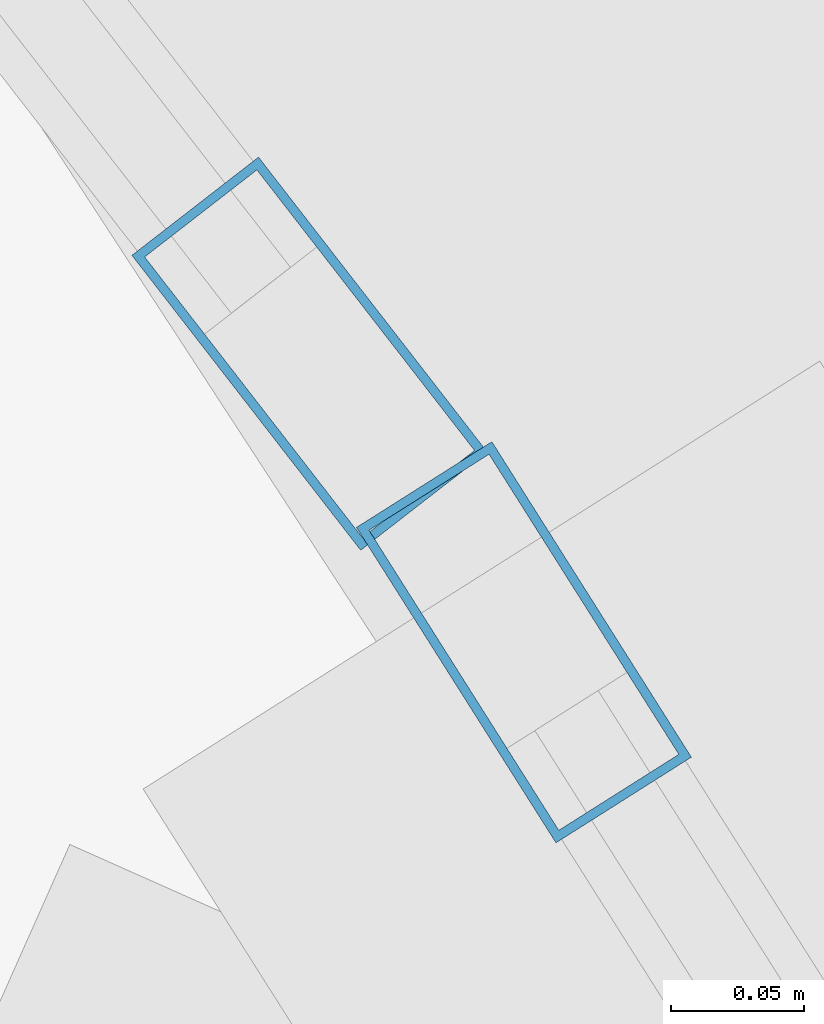
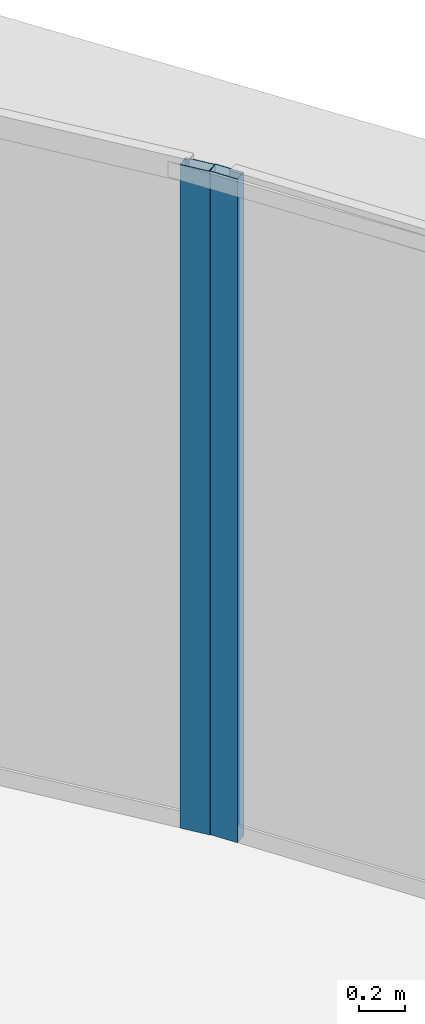
# One storey, part 24 of 33: 2 members, 2 elements without a shape of their own.
"""IFC4 building model written with IfcOpenShell, lengths in metres."""

from ifc_helpers import new_model, si_unit, direction, frame, origin, origin_2d, place, context, subcontext, project, spatial, hollow_rectangle, extrude, source, transform, mapped, material, layer, layer_set, material_profile, profile_set, type_object, element, aggregate, save


model = new_model("IFC4")

# Units and contexts
model_context = context("Model", 3, precision=1e-05, world=origin(), true_north=direction((0.0, 1.0)))
body_context = subcontext(model_context, "Body", "Model", "MODEL_VIEW")
ifc_project = project(units=[si_unit("LENGTHUNIT", "METRE"), si_unit("AREAUNIT", "SQUARE_METRE"), si_unit("VOLUMEUNIT", "CUBIC_METRE"), si_unit("PLANEANGLEUNIT", "RADIAN"), si_unit("MASSUNIT", "GRAM", prefix="KILO"), si_unit("THERMODYNAMICTEMPERATUREUNIT", "KELVIN"), si_unit("POWERUNIT", "WATT")], contexts=[model_context])

# Site, building, storey
site_placement = place(None, origin())
site = spatial("IfcSite", under=ifc_project, at=site_placement, CompositionType="ELEMENT")
building_placement = place(site_placement, origin())
building = spatial("IfcBuilding", under=site, at=building_placement, Name="Yunzhuo Pagoda Commons", CompositionType="ELEMENT")
storey_placement = place(building_placement, frame((0.0, 0.0, 329.260009765625)))
storey = spatial("IfcBuildingStorey", under=building, at=storey_placement, Name="L82", CompositionType="ELEMENT", Elevation=329.260009765625)

# Curtain wall, member
ifc_material = material(Name="Anodized aluminium 6063-T6", Category="aluminium")
ifc_layer = layer(ifc_material, 0.139892578125)
ifc_layer_set = layer_set([ifc_layer], Name="Anodized aluminium 6063-T6")
curtain_wall_type = type_object("IfcCurtainWallType", Name="CW-HI High-Zone Ribbon Curtain Wall", PredefinedType="NOTDEFINED", material=ifc_layer_set)
curtain_wall_1_placement = place(storey_placement, origin())
curtain_wall_1 = element("IfcCurtainWall", 1, at=curtain_wall_1_placement, inside=storey, type_object=curtain_wall_type, Name="L82 curtain wall CW-L82-F2B4", PredefinedType="NOTDEFINED")
ifc_material_profile = material_profile(ifc_material, hollow_rectangle(XDim=0.06005859375, YDim=0.139892578125, WallThickness=0.00341796875, at=origin_2d()), Name="Anodized aluminium 6063-T6")
ifc_profile_set = profile_set([ifc_material_profile], Name="Anodized aluminium 6063-T6")
member_type = type_object("IfcMemberType", Name="CW-HI-M Mullion RHS 140x60x3.5", PredefinedType="MULLION", material=ifc_profile_set)
shared_shape = source(origin(), body_context, "Body", "SweptSolid", [
    extrude(hollow_rectangle(XDim=0.06005859375, YDim=0.139892578125, WallThickness=0.00341796875, at=origin_2d()), origin(), (0.0, 0.0, 1.0), 3.489990234375),
])
member_1_placement = place(storey_placement, frame((60.234130859375, 61.117431640625, 0.0), z_axis=(0.0, 0.0, 1.0), x_axis=(-0.845148830397, -0.534531060349, 0.0)))
member_1 = element("IfcMember", 2, at=member_1_placement, type_object=member_type, Name="CW mullion 2", PredefinedType="MULLION", context=body_context, shape_type="MappedRepresentation", body=[
    mapped(shared_shape, transform((0.0, 0.0, 0.0), scale=1.0)),
])
aggregate(curtain_wall_1, [member_1])

curtain_wall_2_placement = place(storey_placement, origin())
curtain_wall_2 = element("IfcCurtainWall", 3, at=curtain_wall_2_placement, inside=storey, type_object=curtain_wall_type, Name="L82 curtain wall CW-L82-F2B5", PredefinedType="NOTDEFINED")
member_2_placement = place(storey_placement, frame((60.15380859375, 61.2255859375, 0.0), z_axis=(0.0, 0.0, 1.0), x_axis=(-0.790146906982, -0.612917502921, 0.0)))
member_2 = element("IfcMember", 4, at=member_2_placement, type_object=member_type, Name="CW mullion 1", PredefinedType="MULLION", context=body_context, shape_type="MappedRepresentation", body=[
    mapped(shared_shape, transform((0.0, 0.0, 0.0), scale=1.0)),
])
aggregate(curtain_wall_2, [member_2])

save(model, "model.ifc")
